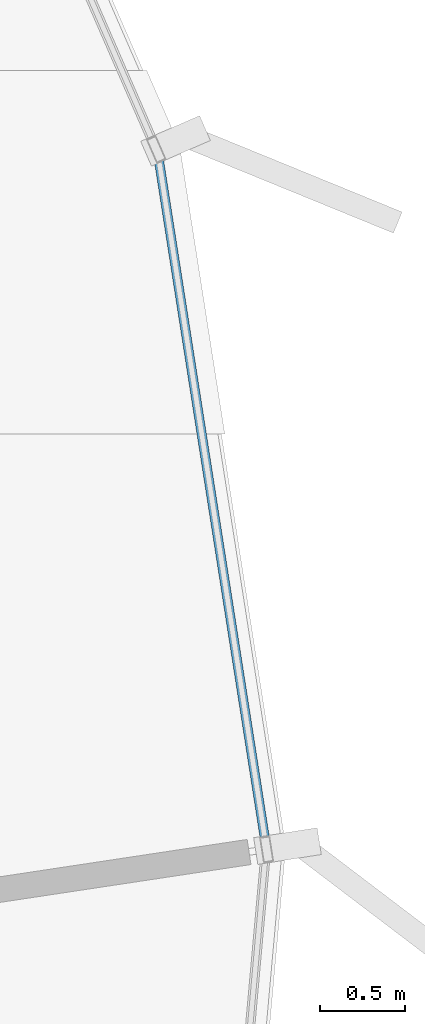
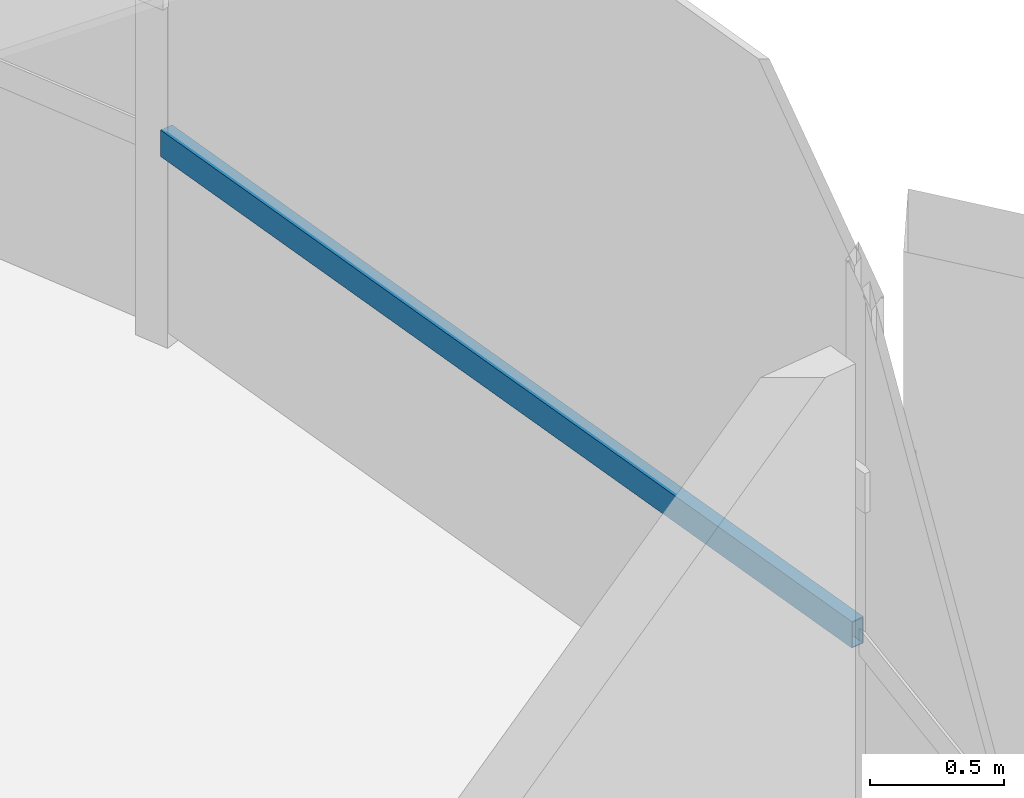
# One storey, part 16 of 35: 1 member, 1 element without a shape of its own.
"""IFC4 building model written with IfcOpenShell, lengths in metres."""

from ifc_helpers import new_model, si_unit, direction, frame, origin, origin_2d, place, context, subcontext, project, spatial, hollow_rectangle, extrude, source, transform, mapped, material, layer, layer_set, material_profile, profile_set, type_object, element, aggregate, save


model = new_model("IFC4")

# Units and contexts
model_context = context("Model", 3, precision=1e-05, world=origin(), true_north=direction((0.0, 1.0)))
body_context = subcontext(model_context, "Body", "Model", "MODEL_VIEW")
ifc_project = project(units=[si_unit("LENGTHUNIT", "METRE"), si_unit("AREAUNIT", "SQUARE_METRE"), si_unit("VOLUMEUNIT", "CUBIC_METRE"), si_unit("PLANEANGLEUNIT", "RADIAN"), si_unit("MASSUNIT", "GRAM", prefix="KILO"), si_unit("THERMODYNAMICTEMPERATUREUNIT", "KELVIN")], contexts=[model_context])

# Site, building, storey
site_placement = place(None, origin())
site = spatial("IfcSite", under=ifc_project, at=site_placement, CompositionType="ELEMENT")
building_placement = place(site_placement, origin())
building = spatial("IfcBuilding", under=site, at=building_placement, Name="Kethvar Cultural Tower", CompositionType="ELEMENT")
storey_placement = place(building_placement, frame((0.0, 0.0, 100.0)))
storey = spatial("IfcBuildingStorey", under=building, at=storey_placement, Name="L24", CompositionType="ELEMENT", Elevation=100.0)

# Curtain wall, member
ifc_material = material(Name="Aluminium 6063-T6", Category="aluminium")
ifc_layer = layer(ifc_material, 0.179931640625, Name="Aluminium 6063-T6", Category="aluminium")
ifc_layer_set = layer_set([ifc_layer], Name="Aluminium 6063-T6 (180 mm)")
curtain_wall_type = type_object("IfcCurtainWallType", Name="CW-SYS-03-Z2", PredefinedType="NOTDEFINED", material=ifc_layer_set)
curtain_wall_placement = place(storey_placement, origin())
curtain_wall = element("IfcCurtainWall", 1, at=curtain_wall_placement, inside=storey, type_object=curtain_wall_type, Name="L24 Curtain Wall Run 07", PredefinedType="NOTDEFINED")
ifc_material_profile = material_profile(ifc_material, hollow_rectangle(XDim=0.054931640625, YDim=0.1201171875, WallThickness=0.00390625, at=origin_2d()), Name="Aluminium 6063-T6 — RHS120x55x4")
ifc_profile_set = profile_set([ifc_material_profile], Name="Aluminium 6063-T6 — RHS120x55x4")
member_type = type_object("IfcMemberType", Name="CW-SYS-03-Z2-TRN", PredefinedType="USERDEFINED", material=ifc_profile_set)
shared_shape = source(origin(), body_context, "Body", "SweptSolid", [
    extrude(hollow_rectangle(XDim=0.054931640625, YDim=0.1201171875, WallThickness=0.00390625, at=origin_2d()), origin(), (0.0, 0.0, 1.0), 4.094970703125),
])
member_placement = place(storey_placement, frame((77.6083984375, 32.49169921875, 0.949951171875), z_axis=(-0.154355055724, 0.98801544359, 0.0), x_axis=(-0.98801544359, -0.154355055724, 0.0)))
member = element("IfcMember", 2, at=member_placement, type_object=member_type, Name="CW-L24-R07 Transom 2", ObjectType="TRANSOM", PredefinedType="USERDEFINED", context=body_context, shape_type="MappedRepresentation", body=[
    mapped(shared_shape, transform((0.0, 0.0, 0.0), scale=1.0)),
])
aggregate(curtain_wall, [member])

save(model, "model.ifc")
